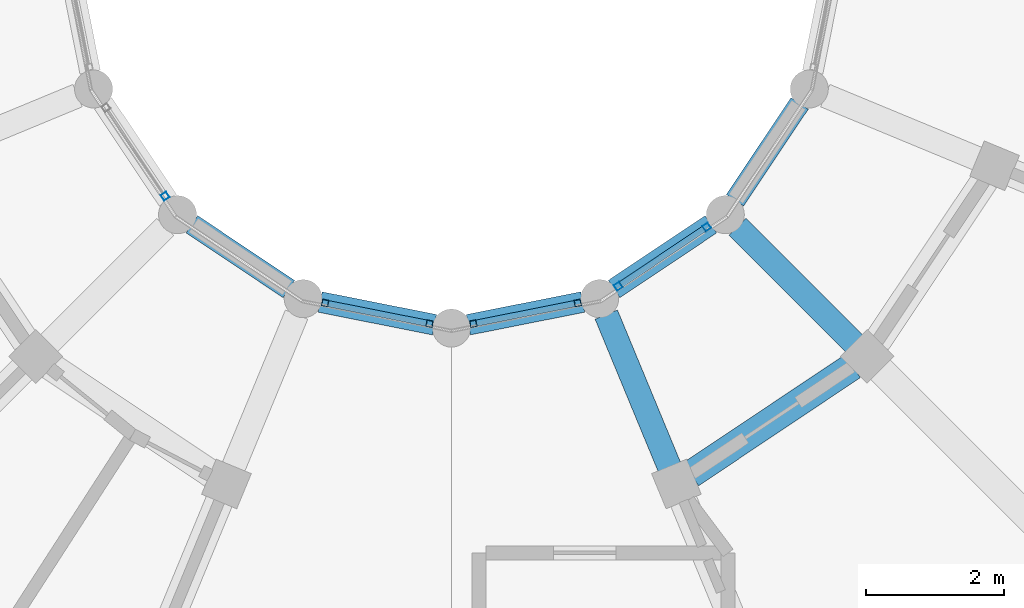
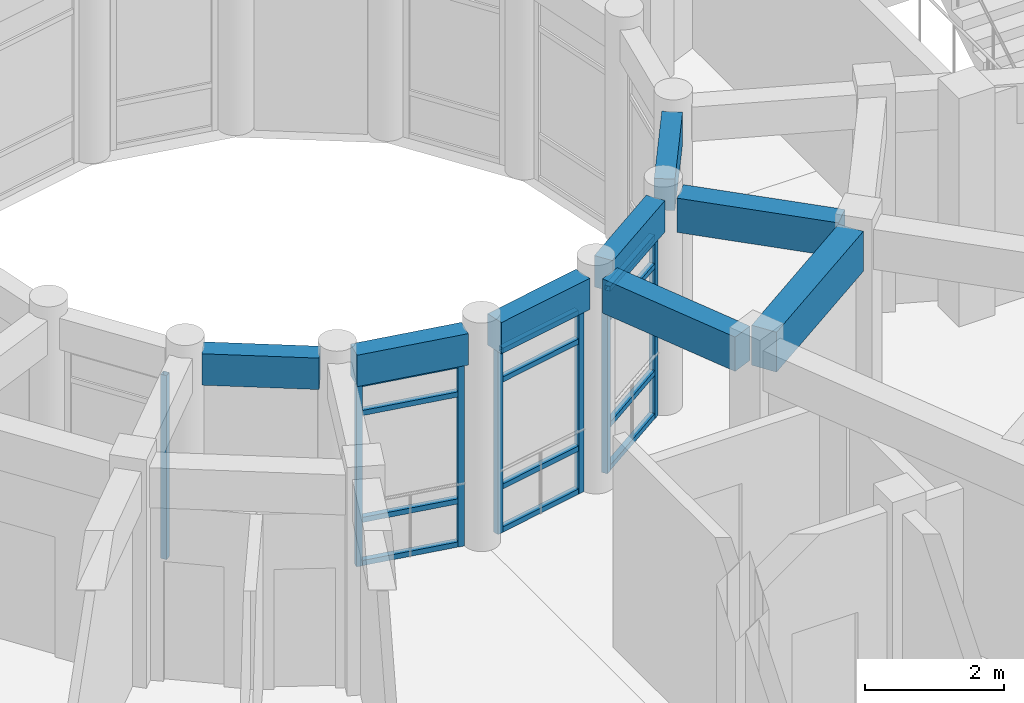
# One storey, part 28 of 112: 19 members, 8 beams, 4 elements without a shape of their own.
"""IFC4 building model written with IfcOpenShell, lengths in metres."""

from ifc_helpers import new_model, si_unit, direction, frame, origin, origin_2d, place, context, subcontext, project, spatial, rectangle, hollow_rectangle, extrude, material, material_profile, profile_set, type_object, element, aggregate, save


model = new_model("IFC4")

# Units and contexts
model_context = context("Model", 3, precision=1e-05, world=origin(), true_north=direction((0.0, 1.0)))
body_context = subcontext(model_context, "Body", "Model", "MODEL_VIEW")
ifc_project = project(units=[si_unit("LENGTHUNIT", "METRE"), si_unit("AREAUNIT", "SQUARE_METRE"), si_unit("VOLUMEUNIT", "CUBIC_METRE"), si_unit("PLANEANGLEUNIT", "RADIAN"), si_unit("MASSUNIT", "GRAM", prefix="KILO")], contexts=[model_context])

# Site, building, storey
site_placement = place(None, origin())
site = spatial("IfcSite", under=ifc_project, at=site_placement, CompositionType="ELEMENT")
building_placement = place(site_placement, origin())
building = spatial("IfcBuilding", under=site, at=building_placement, Name="Celadon Cloister-Ring School", CompositionType="ELEMENT")
storey_placement = place(building_placement, frame((0.0, 0.0, 8.5)))
storey = spatial("IfcBuildingStorey", under=building, at=storey_placement, Name="L02", CompositionType="ELEMENT", Elevation=8.5)

# Beams
ifc_material_1 = material(Name="Concrete C35/45", Category="concrete")
ifc_material_profile_1 = material_profile(ifc_material_1, rectangle(XDim=0.35009765625, YDim=0.60009765625, at=origin_2d()), Name="RC350X600")
ifc_profile_set_1 = profile_set([ifc_material_profile_1], Name="Concrete C35/45")
beam_type_1 = type_object("IfcBeamType", Name="BT-02", PredefinedType="BEAM", material=ifc_profile_set_1)
beam_1_placement = place(storey_placement, frame((23.35693359375, 89.3779296875, 3.47998046875), z_axis=(-0.382555476978, 0.923932522988, 0.0), x_axis=(-0.923932522988, -0.382555476978, 0.0)))
element("IfcBeam", 1, at=beam_1_placement, inside=storey, type_object=beam_type_1, Name="Beam 0753", PredefinedType="BEAM", context=body_context, shape_type="SweptSolid", body=[
    extrude(rectangle(XDim=0.35009765625, YDim=0.60009765625, at=origin_2d()), origin(), (0.0, 0.0, 1.0), 2.399658203125),
])
beam_2_placement = place(storey_placement, frame((26.032958984375, 91.1669921875, 3.47998046875), z_axis=(-0.707106781187, 0.707106781187, 0.0), x_axis=(-0.707106781187, -0.707106781187, 0.0)))
element("IfcBeam", 2, at=beam_2_placement, inside=storey, type_object=beam_type_1, Name="Beam 0755", PredefinedType="BEAM", context=body_context, shape_type="SweptSolid", body=[
    extrude(rectangle(XDim=0.35009765625, YDim=0.60009765625, at=origin_2d()), origin(), (0.0, 0.0, 1.0), 2.398681640625),
])

# Curtain wall, member
ifc_material_2 = material(Name="Aluminium EN AW-6063 T6", Category="aluminium")
curtain_wall_type = type_object("IfcCurtainWallType", Name="CW-04", PredefinedType="USERDEFINED", material=ifc_material_2)
curtain_wall_1_placement = place(storey_placement, origin())
curtain_wall_1 = element("IfcCurtainWall", 3, at=curtain_wall_1_placement, inside=storey, type_object=curtain_wall_type, Name="Curtain Wall 0110", ObjectType="CURTAIN WALL", PredefinedType="USERDEFINED")
ifc_material_3 = material(Name="Aluminium EN AW-6063 T6", Category="aluminium")
ifc_material_profile_2 = material_profile(ifc_material_3, hollow_rectangle(XDim=0.094970703125, YDim=0.094970703125, WallThickness=0.00390625, at=origin_2d()), Name="RHS95X95X4")
ifc_profile_set_2 = profile_set([ifc_material_profile_2], Name="Aluminium EN AW-6063 T6")
member_type_1 = type_object("IfcMemberType", Name="CM-02", PredefinedType="MULLION", material=ifc_profile_set_2)
member_1_placement = place(storey_placement, frame((16.060546875, 93.30859375, 0.0), z_axis=(0.0, 0.0, 1.0), x_axis=(0.831485091394, 0.555547066224, 0.0)))
member_1 = element("IfcMember", 4, at=member_1_placement, type_object=member_type_1, Name="CW-04 mullion 2", PredefinedType="MULLION", context=body_context, shape_type="SweptSolid", body=[
    extrude(hollow_rectangle(XDim=0.094970703125, YDim=0.094970703125, WallThickness=0.00390625, at=origin_2d()), origin(), (0.0, 0.0, 1.0), 3.221923828125),
])
aggregate(curtain_wall_1, [member_1])

# Curtain wall, members
curtain_wall_2_placement = place(storey_placement, origin())
curtain_wall_2 = element("IfcCurtainWall", 5, at=curtain_wall_2_placement, inside=storey, type_object=curtain_wall_type, Name="Curtain Wall 0111", ObjectType="CURTAIN WALL", PredefinedType="USERDEFINED")
member_2_placement = place(storey_placement, frame((18.37353515625, 91.7626953125, 0.0), z_axis=(0.0, 0.0, 1.0), x_axis=(0.194586131301, 0.980885435464, 0.0)))
member_2 = element("IfcMember", 6, at=member_2_placement, type_object=member_type_1, Name="CW-04 mullion 1", PredefinedType="MULLION", context=body_context, shape_type="SweptSolid", body=[
    extrude(hollow_rectangle(XDim=0.094970703125, YDim=0.094970703125, WallThickness=0.00390625, at=origin_2d()), origin(), (0.0, 0.0, 1.0), 3.221923828125),
])
member_3_placement = place(storey_placement, frame((19.88330078125, 91.463134765625, 0.0), z_axis=(0.0, 0.0, 1.0), x_axis=(0.194586131301, 0.980885435464, 0.0)))
member_3 = element("IfcMember", 7, at=member_3_placement, type_object=member_type_1, Name="CW-04 mullion 2", PredefinedType="MULLION", context=body_context, shape_type="SweptSolid", body=[
    extrude(hollow_rectangle(XDim=0.094970703125, YDim=0.094970703125, WallThickness=0.00390625, at=origin_2d()), origin(), (0.0, 0.0, 1.0), 3.221923828125),
])

curtain_wall_3_placement = place(storey_placement, origin())
curtain_wall_3 = element("IfcCurtainWall", 8, at=curtain_wall_3_placement, inside=storey, type_object=curtain_wall_type, Name="Curtain Wall 0112", ObjectType="CURTAIN WALL", PredefinedType="USERDEFINED")
member_4_placement = place(storey_placement, frame((20.5166015625, 91.463134765625, 0.0), z_axis=(0.0, 0.0, 1.0), x_axis=(-0.194586131301, 0.980885435464, 0.0)))
member_4 = element("IfcMember", 9, at=member_4_placement, type_object=member_type_1, Name="CW-04 mullion 1", PredefinedType="MULLION", context=body_context, shape_type="SweptSolid", body=[
    extrude(hollow_rectangle(XDim=0.094970703125, YDim=0.094970703125, WallThickness=0.00390625, at=origin_2d()), origin(), (0.0, 0.0, 1.0), 3.221923828125),
])
member_5_placement = place(storey_placement, frame((22.0263671875, 91.7626953125, 0.0), z_axis=(0.0, 0.0, 1.0), x_axis=(-0.194586131301, 0.980885435464, 0.0)))
member_5 = element("IfcMember", 10, at=member_5_placement, type_object=member_type_1, Name="CW-04 mullion 2", PredefinedType="MULLION", context=body_context, shape_type="SweptSolid", body=[
    extrude(hollow_rectangle(XDim=0.094970703125, YDim=0.094970703125, WallThickness=0.00390625, at=origin_2d()), origin(), (0.0, 0.0, 1.0), 3.221923828125),
])

curtain_wall_4_placement = place(storey_placement, origin())
curtain_wall_4 = element("IfcCurtainWall", 11, at=curtain_wall_4_placement, inside=storey, type_object=curtain_wall_type, Name="Curtain Wall 0113", ObjectType="CURTAIN WALL", PredefinedType="USERDEFINED")
member_6_placement = place(storey_placement, frame((22.611572265625, 92.00537109375, 0.0), z_axis=(0.0, 0.0, 1.0), x_axis=(-0.555547066224, 0.831485091394, 0.0)))
member_6 = element("IfcMember", 12, at=member_6_placement, type_object=member_type_1, Name="CW-04 mullion 1", PredefinedType="MULLION", context=body_context, shape_type="SweptSolid", body=[
    extrude(hollow_rectangle(XDim=0.094970703125, YDim=0.094970703125, WallThickness=0.00390625, at=origin_2d()), origin(), (0.0, 0.0, 1.0), 3.221923828125),
])
member_7_placement = place(storey_placement, frame((23.8916015625, 92.860595703125, 0.0), z_axis=(0.0, 0.0, 1.0), x_axis=(-0.555547066224, 0.831485091394, 0.0)))
member_7 = element("IfcMember", 13, at=member_7_placement, type_object=member_type_1, Name="CW-04 mullion 2", PredefinedType="MULLION", context=body_context, shape_type="SweptSolid", body=[
    extrude(hollow_rectangle(XDim=0.094970703125, YDim=0.094970703125, WallThickness=0.00390625, at=origin_2d()), origin(), (0.0, 0.0, 1.0), 3.221923828125),
])

# Member
ifc_material_4 = material(Name="Aluminium EN AW-6063 T6", Category="aluminium")
ifc_material_profile_3 = material_profile(ifc_material_4, hollow_rectangle(XDim=0.090087890625, YDim=0.090087890625, WallThickness=0.00390625, at=origin_2d()), Name="RHS90X90X4")
ifc_profile_set_3 = profile_set([ifc_material_profile_3], Name="Aluminium EN AW-6063 T6")
member_type_2 = type_object("IfcMemberType", Name="CTM-02", PredefinedType="USERDEFINED", material=ifc_profile_set_3)
member_8_placement = place(storey_placement, frame((18.420166015625, 91.75341796875, 0.044921875), z_axis=(0.98089149302, -0.194555593394, 0.0), x_axis=(0.194555593394, 0.98089149302, 0.0)))
member_8 = element("IfcMember", 14, at=member_8_placement, type_object=member_type_2, Name="CW-04 transom 1.1", ObjectType="TRANSOM", PredefinedType="USERDEFINED", context=body_context, shape_type="SweptSolid", body=[
    extrude(hollow_rectangle(XDim=0.090087890625, YDim=0.090087890625, WallThickness=0.00390625, at=origin_2d()), origin(), (0.0, 0.0, 1.0), 1.4443359375),
])

member_9_placement = place(storey_placement, frame((18.420166015625, 91.75341796875, 0.800048828125), z_axis=(0.98089149302, -0.194555593394, 0.0), x_axis=(0.194555593394, 0.98089149302, 0.0)))
member_9 = element("IfcMember", 15, at=member_9_placement, type_object=member_type_2, Name="CW-04 transom 1.2", ObjectType="TRANSOM", PredefinedType="USERDEFINED", context=body_context, shape_type="SweptSolid", body=[
    extrude(hollow_rectangle(XDim=0.090087890625, YDim=0.090087890625, WallThickness=0.00390625, at=origin_2d()), origin(), (0.0, 0.0, 1.0), 1.4443359375),
])

member_10_placement = place(storey_placement, frame((18.420166015625, 91.75341796875, 2.672119140625), z_axis=(0.98089149302, -0.194555593394, 0.0), x_axis=(0.194555593394, 0.98089149302, 0.0)))
member_10 = element("IfcMember", 16, at=member_10_placement, type_object=member_type_2, Name="CW-04 transom 1.3", ObjectType="TRANSOM", PredefinedType="USERDEFINED", context=body_context, shape_type="SweptSolid", body=[
    extrude(hollow_rectangle(XDim=0.090087890625, YDim=0.090087890625, WallThickness=0.00390625, at=origin_2d()), origin(), (0.0, 0.0, 1.0), 1.4443359375),
])

member_11_placement = place(storey_placement, frame((18.420166015625, 91.75341796875, 3.177001953125), z_axis=(0.98089149302, -0.194555593394, 0.0), x_axis=(0.194555593394, 0.98089149302, 0.0)))
member_11 = element("IfcMember", 17, at=member_11_placement, type_object=member_type_2, Name="CW-04 transom 1.4", ObjectType="TRANSOM", PredefinedType="USERDEFINED", context=body_context, shape_type="SweptSolid", body=[
    extrude(hollow_rectangle(XDim=0.090087890625, YDim=0.090087890625, WallThickness=0.00390625, at=origin_2d()), origin(), (0.0, 0.0, 1.0), 1.4443359375),
])

aggregate(curtain_wall_2, [member_2, member_3, member_8, member_9, member_10, member_11])

member_12_placement = place(storey_placement, frame((20.563232421875, 91.472412109375, 0.044921875), z_axis=(0.980885093257, 0.194587856315, 0.0), x_axis=(-0.194587856315, 0.980885093257, 0.0)))
member_12 = element("IfcMember", 18, at=member_12_placement, type_object=member_type_2, Name="CW-04 transom 1.1", ObjectType="TRANSOM", PredefinedType="USERDEFINED", context=body_context, shape_type="SweptSolid", body=[
    extrude(hollow_rectangle(XDim=0.090087890625, YDim=0.090087890625, WallThickness=0.00390625, at=origin_2d()), origin(), (0.0, 0.0, 1.0), 1.444091796875),
])

member_13_placement = place(storey_placement, frame((20.563232421875, 91.472412109375, 0.800048828125), z_axis=(0.980885093257, 0.194587856315, 0.0), x_axis=(-0.194587856315, 0.980885093257, 0.0)))
member_13 = element("IfcMember", 19, at=member_13_placement, type_object=member_type_2, Name="CW-04 transom 1.2", ObjectType="TRANSOM", PredefinedType="USERDEFINED", context=body_context, shape_type="SweptSolid", body=[
    extrude(hollow_rectangle(XDim=0.090087890625, YDim=0.090087890625, WallThickness=0.00390625, at=origin_2d()), origin(), (0.0, 0.0, 1.0), 1.444091796875),
])

member_14_placement = place(storey_placement, frame((20.563232421875, 91.472412109375, 2.672119140625), z_axis=(0.980885093257, 0.194587856315, 0.0), x_axis=(-0.194587856315, 0.980885093257, 0.0)))
member_14 = element("IfcMember", 20, at=member_14_placement, type_object=member_type_2, Name="CW-04 transom 1.3", ObjectType="TRANSOM", PredefinedType="USERDEFINED", context=body_context, shape_type="SweptSolid", body=[
    extrude(hollow_rectangle(XDim=0.090087890625, YDim=0.090087890625, WallThickness=0.00390625, at=origin_2d()), origin(), (0.0, 0.0, 1.0), 1.444091796875),
])

member_15_placement = place(storey_placement, frame((20.563232421875, 91.472412109375, 3.177001953125), z_axis=(0.980885093257, 0.194587856315, 0.0), x_axis=(-0.194587856315, 0.980885093257, 0.0)))
member_15 = element("IfcMember", 21, at=member_15_placement, type_object=member_type_2, Name="CW-04 transom 1.4", ObjectType="TRANSOM", PredefinedType="USERDEFINED", context=body_context, shape_type="SweptSolid", body=[
    extrude(hollow_rectangle(XDim=0.090087890625, YDim=0.090087890625, WallThickness=0.00390625, at=origin_2d()), origin(), (0.0, 0.0, 1.0), 1.444091796875),
])

aggregate(curtain_wall_3, [member_4, member_5, member_12, member_13, member_14, member_15])

member_16_placement = place(storey_placement, frame((22.65087890625, 92.03173828125, 0.044921875), z_axis=(0.831503875559, 0.555518951009, 0.0), x_axis=(-0.555518951009, 0.831503875559, 0.0)))
member_16 = element("IfcMember", 22, at=member_16_placement, type_object=member_type_2, Name="CW-04 transom 1.1", ObjectType="TRANSOM", PredefinedType="USERDEFINED", context=body_context, shape_type="SweptSolid", body=[
    extrude(hollow_rectangle(XDim=0.090087890625, YDim=0.090087890625, WallThickness=0.00390625, at=origin_2d()), origin(), (0.0, 0.0, 1.0), 1.444580078125),
])

member_17_placement = place(storey_placement, frame((22.65087890625, 92.03173828125, 0.800048828125), z_axis=(0.831503875559, 0.555518951009, 0.0), x_axis=(-0.555518951009, 0.831503875559, 0.0)))
member_17 = element("IfcMember", 23, at=member_17_placement, type_object=member_type_2, Name="CW-04 transom 1.2", ObjectType="TRANSOM", PredefinedType="USERDEFINED", context=body_context, shape_type="SweptSolid", body=[
    extrude(hollow_rectangle(XDim=0.090087890625, YDim=0.090087890625, WallThickness=0.00390625, at=origin_2d()), origin(), (0.0, 0.0, 1.0), 1.444580078125),
])

member_18_placement = place(storey_placement, frame((22.65087890625, 92.03173828125, 2.672119140625), z_axis=(0.831503875559, 0.555518951009, 0.0), x_axis=(-0.555518951009, 0.831503875559, 0.0)))
member_18 = element("IfcMember", 24, at=member_18_placement, type_object=member_type_2, Name="CW-04 transom 1.3", ObjectType="TRANSOM", PredefinedType="USERDEFINED", context=body_context, shape_type="SweptSolid", body=[
    extrude(hollow_rectangle(XDim=0.090087890625, YDim=0.090087890625, WallThickness=0.00390625, at=origin_2d()), origin(), (0.0, 0.0, 1.0), 1.444580078125),
])

member_19_placement = place(storey_placement, frame((22.65087890625, 92.03173828125, 3.177001953125), z_axis=(0.831503875559, 0.555518951009, 0.0), x_axis=(-0.555518951009, 0.831503875559, 0.0)))
member_19 = element("IfcMember", 25, at=member_19_placement, type_object=member_type_2, Name="CW-04 transom 1.4", ObjectType="TRANSOM", PredefinedType="USERDEFINED", context=body_context, shape_type="SweptSolid", body=[
    extrude(hollow_rectangle(XDim=0.090087890625, YDim=0.090087890625, WallThickness=0.00390625, at=origin_2d()), origin(), (0.0, 0.0, 1.0), 1.444580078125),
])

aggregate(curtain_wall_4, [member_6, member_7, member_16, member_17, member_18, member_19])

# Beams
ifc_material_5 = material(Name="Concrete C35/45", Category="concrete")
ifc_material_profile_4 = material_profile(ifc_material_5, rectangle(XDim=0.39990234375, YDim=0.699951171875, at=origin_2d()), Name="RC400X700")
ifc_profile_set_4 = profile_set([ifc_material_profile_4], Name="Concrete C35/45")
beam_type_2 = type_object("IfcBeamType", Name="GT-03", PredefinedType="USERDEFINED", material=ifc_profile_set_4)
beam_3_placement = place(storey_placement, frame((23.660888671875, 89.285888671875, 3.429931640625), z_axis=(0.831315995752, 0.555800067657, 0.0), x_axis=(-0.555800067657, 0.831315995752, 0.0)))
element("IfcBeam", 26, at=beam_3_placement, inside=storey, type_object=beam_type_2, Name="Beam 0799", ObjectType="GIRDER", PredefinedType="USERDEFINED", context=body_context, shape_type="SweptSolid", body=[
    extrude(rectangle(XDim=0.39990234375, YDim=0.699951171875, at=origin_2d()), origin(), (0.0, 0.0, 1.0), 2.816162109375),
])
ifc_material_6 = material(Name="Concrete C35/45", Category="concrete")
ifc_material_profile_5 = material_profile(ifc_material_6, rectangle(XDim=0.300048828125, YDim=0.550048828125, at=origin_2d()), Name="RC300X550")
ifc_profile_set_5 = profile_set([ifc_material_profile_5], Name="Concrete C35/45")
beam_type_3 = type_object("IfcBeamType", Name="SP-02", PredefinedType="SPANDREL", material=ifc_profile_set_5)
beam_4_placement = place(storey_placement, frame((16.447998046875, 92.90087890625, 3.5048828125), z_axis=(0.831581859135, -0.555402207016, 0.0), x_axis=(0.555402207016, 0.831581859135, 0.0)))
element("IfcBeam", 27, at=beam_4_placement, inside=storey, type_object=beam_type_3, Name="Beam 0792", PredefinedType="SPANDREL", context=body_context, shape_type="SweptSolid", body=[
    extrude(rectangle(XDim=0.300048828125, YDim=0.550048828125, at=origin_2d()), origin(), (0.0, 0.0, 1.0), 1.684814453125),
])
beam_5_placement = place(storey_placement, frame((18.302001953125, 91.777099609375, 3.5048828125), z_axis=(0.980863799725, -0.194695162728, 0.0), x_axis=(0.194695162728, 0.980863799725, 0.0)))
element("IfcBeam", 28, at=beam_5_placement, inside=storey, type_object=beam_type_3, Name="Beam 0795", PredefinedType="SPANDREL", context=body_context, shape_type="SweptSolid", body=[
    extrude(rectangle(XDim=0.300048828125, YDim=0.550048828125, at=origin_2d()), origin(), (0.0, 0.0, 1.0), 1.685302734375),
])
beam_6_placement = place(storey_placement, frame((20.445068359375, 91.448974609375, 3.5048828125), z_axis=(0.980858307367, 0.194722830887, 0.0), x_axis=(-0.194722830887, 0.980858307367, 0.0)))
element("IfcBeam", 29, at=beam_6_placement, inside=storey, type_object=beam_type_3, Name="Beam 0797", PredefinedType="SPANDREL", context=body_context, shape_type="SweptSolid", body=[
    extrude(rectangle(XDim=0.300048828125, YDim=0.550048828125, at=origin_2d()), origin(), (0.0, 0.0, 1.0), 1.68505859375),
])
beam_7_placement = place(storey_placement, frame((22.551025390625, 91.965087890625, 3.5048828125), z_axis=(0.831537153477, 0.555469137204, 0.0), x_axis=(-0.555469137204, 0.831537153477, 0.0)))
element("IfcBeam", 30, at=beam_7_placement, inside=storey, type_object=beam_type_3, Name="Beam 0800", PredefinedType="SPANDREL", context=body_context, shape_type="SweptSolid", body=[
    extrude(rectangle(XDim=0.300048828125, YDim=0.550048828125, at=origin_2d()), origin(), (0.0, 0.0, 1.0), 1.6845703125),
])
beam_8_placement = place(storey_placement, frame((24.299072265625, 93.248046875, 3.5048828125), z_axis=(0.555569328961, 0.831470216374, 0.0), x_axis=(-0.831470216374, 0.555569328961, 0.0)))
element("IfcBeam", 31, at=beam_8_placement, inside=storey, type_object=beam_type_3, Name="Beam 0804", PredefinedType="SPANDREL", context=body_context, shape_type="SweptSolid", body=[
    extrude(rectangle(XDim=0.300048828125, YDim=0.550048828125, at=origin_2d()), origin(), (0.0, 0.0, 1.0), 1.684814453125),
])

save(model, "model.ifc")
